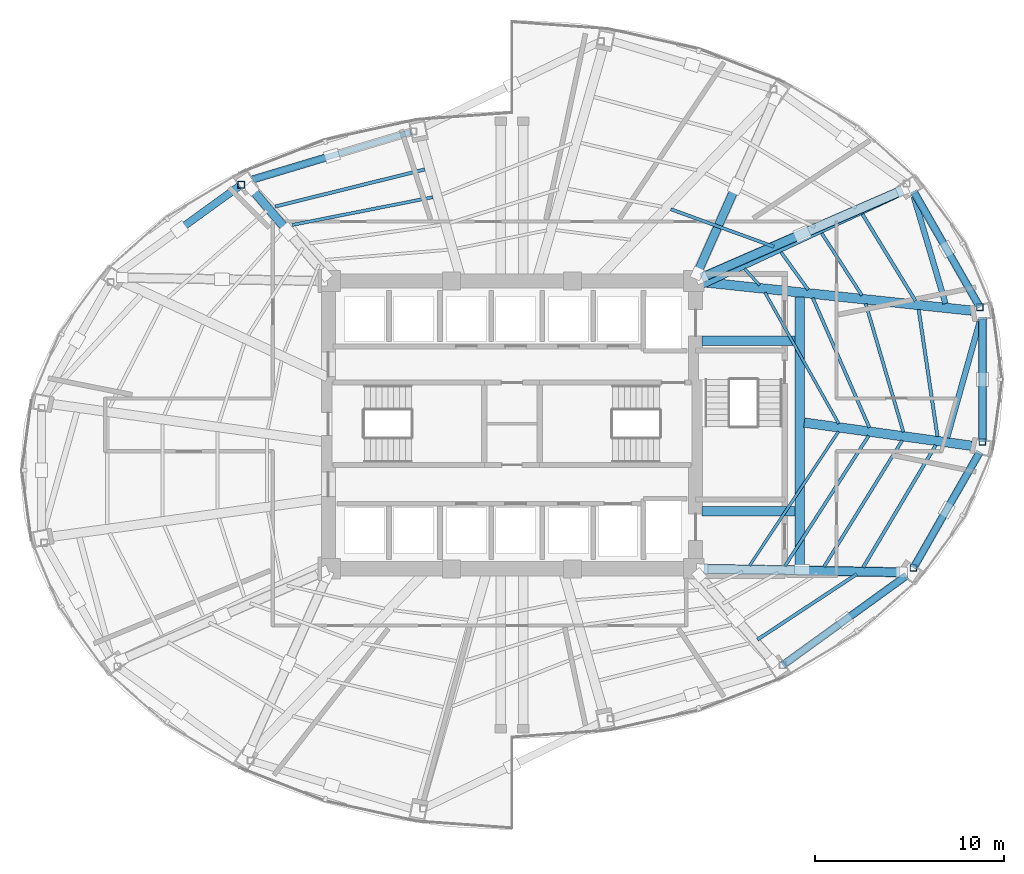
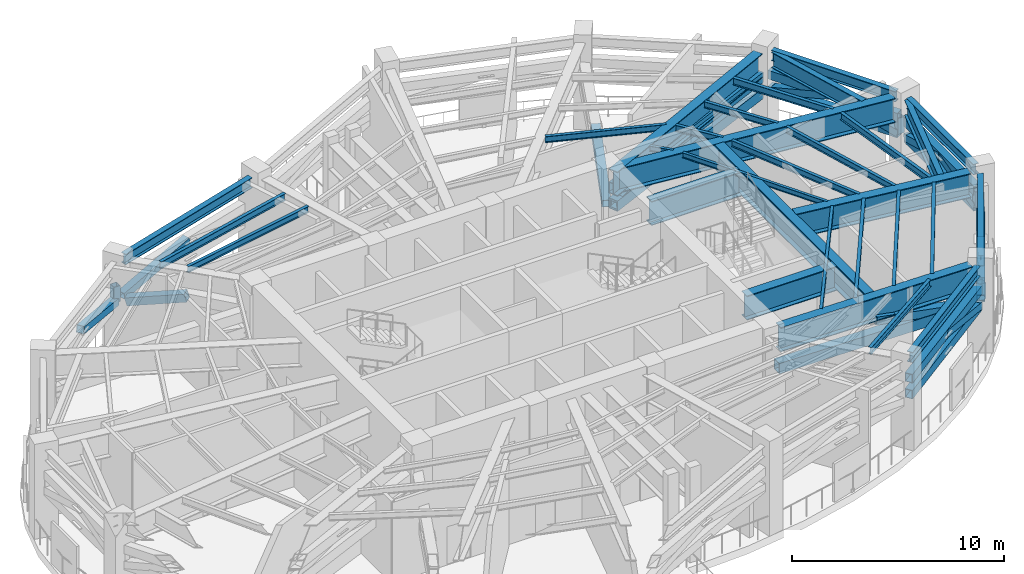
# One storey, part 4 of 12: 30 beams, 28 members.
"""IFC4 building model written with IfcOpenShell, lengths in metres."""

from ifc_helpers import new_model, si_unit, direction, frame, origin, origin_2d, place, context, subcontext, project, spatial, hollow_rectangle, i_section, extrude, material, material_profile, profile_set, type_object, element, save


model = new_model("IFC4")

# Units and contexts
model_context = context("Model", 3, precision=1e-05, world=origin(), true_north=direction((0.0, 1.0)))
body_context = subcontext(model_context, "Body", "Model", "MODEL_VIEW")
ifc_project = project(units=[si_unit("LENGTHUNIT", "METRE"), si_unit("AREAUNIT", "SQUARE_METRE"), si_unit("VOLUMEUNIT", "CUBIC_METRE"), si_unit("PLANEANGLEUNIT", "RADIAN"), si_unit("MASSUNIT", "GRAM", prefix="KILO")], contexts=[model_context])

# Site, building, storey
site_placement = place(None, origin())
site = spatial("IfcSite", under=ifc_project, at=site_placement, CompositionType="ELEMENT")
building_placement = place(site_placement, origin())
building = spatial("IfcBuilding", under=site, at=building_placement, Name="Lazwardi Medical Tower", CompositionType="ELEMENT")
storey_placement = place(building_placement, frame((0.0, 0.0, 132.81591796875)))
storey = spatial("IfcBuildingStorey", under=building, at=storey_placement, Name="L34", CompositionType="ELEMENT", Elevation=132.81591796875)

# Beams
ifc_material_1 = material(Name="Steel S460", Category="steel")
ifc_material_profile_1 = material_profile(ifc_material_1, i_section(OverallWidth=0.300048828125, OverallDepth=0.89990234375, WebThickness=0.0185546875, FlangeThickness=0.034912109375, at=origin_2d()), Name="HEB 900")
ifc_profile_set_1 = profile_set([ifc_material_profile_1], Name="Steel S460")
beam_type_1 = type_object("IfcBeamType", Name="BM-HB-01", PredefinedType="BEAM", material=ifc_profile_set_1)
beam_1_placement = place(storey_placement, frame((58.9921875, 27.32421875, 4.572021484375), z_axis=(0.270587562077, 0.962695367834, 0.0), x_axis=(-0.962695367834, 0.270587562077, 0.0)))
element("IfcBeam", 1, at=beam_1_placement, inside=storey, type_object=beam_type_1, Name="Transfer girder tie HB-01 M04 L34", PredefinedType="BEAM", context=body_context, shape_type="SweptSolid", body=[
    extrude(i_section(OverallWidth=0.300048828125, OverallDepth=0.89990234375, WebThickness=0.0185546875, FlangeThickness=0.034912109375, at=origin_2d()), origin(), (0.0, 0.0, 1.0), 6.353759765625),
])
beam_2_placement = place(storey_placement, frame((58.906005859375, 34.4150390625, 4.572021484375), z_axis=(-0.283668743599, 0.958922334658, 0.0), x_axis=(-0.958922334658, -0.283668743599, 0.0)))
element("IfcBeam", 2, at=beam_2_placement, inside=storey, type_object=beam_type_1, Name="Transfer girder tie HB-01 M05 L34", PredefinedType="BEAM", context=body_context, shape_type="SweptSolid", body=[
    extrude(i_section(OverallWidth=0.300048828125, OverallDepth=0.89990234375, WebThickness=0.0185546875, FlangeThickness=0.034912109375, at=origin_2d()), origin(), (0.0, 0.0, 1.0), 5.88427734375),
])
ifc_material_2 = material(Name="Steel S355", Category="steel")
ifc_material_profile_2 = material_profile(ifc_material_2, i_section(OverallWidth=0.300048828125, OverallDepth=0.60009765625, WebThickness=0.015380859375, FlangeThickness=0.030029296875, at=origin_2d()), Name="HEB 600")
ifc_profile_set_2 = profile_set([ifc_material_profile_2], Name="Steel S355")
beam_type_2 = type_object("IfcBeamType", Name="BM-RB-Z2", PredefinedType="BEAM", material=ifc_profile_set_2)
beam_3_placement = place(storey_placement, frame((50.415771484375, 15.3828125, 4.72216796875), z_axis=(0.810041907649, 0.586371987609, 0.0), x_axis=(-0.586371987609, 0.810041907649, 0.0)))
element("IfcBeam", 3, at=beam_3_placement, inside=storey, type_object=beam_type_2, Name="Ring beam RB-03 B02 L34", PredefinedType="BEAM", context=body_context, shape_type="SweptSolid", body=[
    extrude(i_section(OverallWidth=0.300048828125, OverallDepth=0.60009765625, WebThickness=0.015380859375, FlangeThickness=0.030029296875, at=origin_2d()), origin(), (0.0, 0.0, 1.0), 7.814208984375),
])
beam_4_placement = place(storey_placement, frame((57.281494140625, 20.561279296875, 4.72216796875), z_axis=(0.496653025517, 0.867949176072, 0.0), x_axis=(-0.867949176072, 0.496653025517, 0.0)))
element("IfcBeam", 4, at=beam_4_placement, inside=storey, type_object=beam_type_2, Name="Ring beam RB-03 B03 L34", PredefinedType="BEAM", context=body_context, shape_type="SweptSolid", body=[
    extrude(i_section(OverallWidth=0.300048828125, OverallDepth=0.60009765625, WebThickness=0.015380859375, FlangeThickness=0.030029296875, at=origin_2d()), origin(), (0.0, 0.0, 1.0), 6.80078125),
])
beam_5_placement = place(storey_placement, frame((60.86279296875, 27.22998046875, 4.72216796875), z_axis=(0.0, 1.0, 0.0), x_axis=(-1.0, 0.0, 0.0)))
element("IfcBeam", 5, at=beam_5_placement, inside=storey, type_object=beam_type_2, Name="Ring beam RB-03 B04 L34", PredefinedType="BEAM", context=body_context, shape_type="SweptSolid", body=[
    extrude(i_section(OverallWidth=0.300048828125, OverallDepth=0.60009765625, WebThickness=0.015380859375, FlangeThickness=0.030029296875, at=origin_2d()), origin(), (0.0, 0.0, 1.0), 6.33984375),
])
beam_6_placement = place(storey_placement, frame((60.6591796875, 34.335693359375, 4.72216796875), z_axis=(-0.496637551254, 0.867958030486, 0.0), x_axis=(-0.867958030486, -0.496637551254, 0.0)))
element("IfcBeam", 6, at=beam_6_placement, inside=storey, type_object=beam_type_2, Name="Ring beam RB-03 B05 L34", PredefinedType="BEAM", context=body_context, shape_type="SweptSolid", body=[
    extrude(i_section(OverallWidth=0.300048828125, OverallDepth=0.60009765625, WebThickness=0.015380859375, FlangeThickness=0.030029296875, at=origin_2d()), origin(), (0.0, 0.0, 1.0), 6.801025390625),
])
beam_7_placement = place(storey_placement, frame((30.661865234375, 43.4794921875, 4.72216796875), z_axis=(-0.957879438442, -0.287170648587, 0.0), x_axis=(0.287170648587, -0.957879438442, 0.0)))
element("IfcBeam", 7, at=beam_7_placement, inside=storey, type_object=beam_type_2, Name="Ring beam RB-03 B09 L34", PredefinedType="BEAM", context=body_context, shape_type="SweptSolid", body=[
    extrude(i_section(OverallWidth=0.300048828125, OverallDepth=0.60009765625, WebThickness=0.015380859375, FlangeThickness=0.030029296875, at=origin_2d()), origin(), (0.0, 0.0, 1.0), 8.719970703125),
])
ifc_material_profile_3 = material_profile(ifc_material_2, i_section(OverallWidth=0.179931640625, OverallDepth=0.39990234375, WebThickness=0.008544921875, FlangeThickness=0.013427734375, at=origin_2d()), Name="IPE 400")
ifc_profile_set_3 = profile_set([ifc_material_profile_3], Name="Steel S355")
beam_type_3 = type_object("IfcBeamType", Name="BM-SJ-01", PredefinedType="JOIST", material=ifc_profile_set_3)
beam_8_placement = place(storey_placement, frame((48.967529296875, 16.653564453125, 4.822021484375), z_axis=(0.83498778649, 0.550268476666, 0.0), x_axis=(-0.550268476666, 0.83498778649, 0.0)))
element("IfcBeam", 8, at=beam_8_placement, inside=storey, type_object=beam_type_3, Name="Secondary joist SJ-01 R1 B02 L34", PredefinedType="JOIST", context=body_context, shape_type="SweptSolid", body=[
    extrude(i_section(OverallWidth=0.179931640625, OverallDepth=0.39990234375, WebThickness=0.008544921875, FlangeThickness=0.013427734375, at=origin_2d()), origin(), (0.0, 0.0, 1.0), 6.291259765625),
])
beam_9_placement = place(storey_placement, frame((54.55029296875, 20.4609375, 4.822021484375), z_axis=(0.510632409875, 0.859799128858, 0.0), x_axis=(-0.859799128858, 0.510632409875, 0.0)))
element("IfcBeam", 9, at=beam_9_placement, inside=storey, type_object=beam_type_3, Name="Secondary joist SJ-01 R1 B03 L34", PredefinedType="JOIST", context=body_context, shape_type="SweptSolid", body=[
    extrude(i_section(OverallWidth=0.179931640625, OverallDepth=0.39990234375, WebThickness=0.008544921875, FlangeThickness=0.013427734375, at=origin_2d()), origin(), (0.0, 0.0, 1.0), 7.5283203125),
])
beam_10_placement = place(storey_placement, frame((58.48388671875, 27.386962890625, 4.822021484375), z_axis=(-0.146300891075, 0.989240137313, 0.0), x_axis=(-0.989240137313, -0.146300891075, 0.0)))
element("IfcBeam", 10, at=beam_10_placement, inside=storey, type_object=beam_type_3, Name="Secondary joist SJ-01 R1 B04 L34", PredefinedType="JOIST", context=body_context, shape_type="SweptSolid", body=[
    extrude(i_section(OverallWidth=0.179931640625, OverallDepth=0.39990234375, WebThickness=0.008544921875, FlangeThickness=0.013427734375, at=origin_2d()), origin(), (0.0, 0.0, 1.0), 6.78515625),
])
beam_11_placement = place(storey_placement, frame((57.327392578125, 34.550537109375, 4.822021484375), z_axis=(-0.522193623846, 0.852826957369, 0.0), x_axis=(-0.852826957369, -0.522193623846, 0.0)))
element("IfcBeam", 11, at=beam_11_placement, inside=storey, type_object=beam_type_3, Name="Secondary joist SJ-01 R1 B05 L34", PredefinedType="JOIST", context=body_context, shape_type="SweptSolid", body=[
    extrude(i_section(OverallWidth=0.179931640625, OverallDepth=0.39990234375, WebThickness=0.008544921875, FlangeThickness=0.013427734375, at=origin_2d()), origin(), (0.0, 0.0, 1.0), 5.376953125),
])
beam_12_placement = place(storey_placement, frame((31.398193359375, 41.5029296875, 4.822021484375), z_axis=(-0.970657538823, -0.240466093922, 0.0), x_axis=(0.240466093922, -0.970657538823, 0.0)))
element("IfcBeam", 12, at=beam_12_placement, inside=storey, type_object=beam_type_3, Name="Secondary joist SJ-01 R1 B09 L34", PredefinedType="JOIST", context=body_context, shape_type="SweptSolid", body=[
    extrude(i_section(OverallWidth=0.179931640625, OverallDepth=0.39990234375, WebThickness=0.008544921875, FlangeThickness=0.013427734375, at=origin_2d()), origin(), (0.0, 0.0, 1.0), 8.162841796875),
])
ifc_material_profile_4 = material_profile(ifc_material_2, i_section(OverallWidth=0.169921875, OverallDepth=0.360107421875, WebThickness=0.008056640625, FlangeThickness=0.0126953125, at=origin_2d()), Name="IPE 360")
ifc_profile_set_4 = profile_set([ifc_material_profile_4], Name="Steel S355")
beam_type_4 = type_object("IfcBeamType", Name="BM-SJ-02", PredefinedType="JOIST", material=ifc_profile_set_4)
beam_13_placement = place(storey_placement, frame((52.481689453125, 20.49365234375, 4.842041015625), z_axis=(0.526400562631, 0.850236700961, 0.0), x_axis=(-0.850236700961, 0.526400562631, 0.0)))
element("IfcBeam", 13, at=beam_13_placement, inside=storey, type_object=beam_type_4, Name="Secondary joist SJ-02 R2 B03 L34", PredefinedType="JOIST", context=body_context, shape_type="SweptSolid", body=[
    extrude(i_section(OverallWidth=0.169921875, OverallDepth=0.360107421875, WebThickness=0.008056640625, FlangeThickness=0.0126953125, at=origin_2d()), origin(), (0.0, 0.0, 1.0), 7.865478515625),
])
beam_14_placement = place(storey_placement, frame((56.68212890625, 27.62451171875, 4.842041015625), z_axis=(-0.28137518337, 0.95959783565, 0.0), x_axis=(-0.95959783565, -0.28137518337, 0.0)))
element("IfcBeam", 14, at=beam_14_placement, inside=storey, type_object=beam_type_4, Name="Secondary joist SJ-02 R2 B04 L34", PredefinedType="JOIST", context=body_context, shape_type="SweptSolid", body=[
    extrude(i_section(OverallWidth=0.169921875, OverallDepth=0.360107421875, WebThickness=0.008056640625, FlangeThickness=0.0126953125, at=origin_2d()), origin(), (0.0, 0.0, 1.0), 7.068115234375),
])
beam_15_placement = place(storey_placement, frame((54.4912109375, 34.84765625, 4.842041015625), z_axis=(-0.543279720058, 0.839551752886, 0.0), x_axis=(-0.839551752886, -0.543279720058, 0.0)))
element("IfcBeam", 15, at=beam_15_placement, inside=storey, type_object=beam_type_4, Name="Secondary joist SJ-02 R2 B05 L34", PredefinedType="JOIST", context=body_context, shape_type="SweptSolid", body=[
    extrude(i_section(OverallWidth=0.169921875, OverallDepth=0.360107421875, WebThickness=0.008056640625, FlangeThickness=0.0126953125, at=origin_2d()), origin(), (0.0, 0.0, 1.0), 3.9150390625),
])
beam_16_placement = place(storey_placement, frame((31.818115234375, 40.036376953125, 4.842041015625), z_axis=(-0.981054420919, -0.193732349379, 0.0), x_axis=(0.193732349379, -0.981054420919, 0.0)))
element("IfcBeam", 16, at=beam_16_placement, inside=storey, type_object=beam_type_4, Name="Secondary joist SJ-02 R2 B09 L34", PredefinedType="JOIST", context=body_context, shape_type="SweptSolid", body=[
    extrude(i_section(OverallWidth=0.169921875, OverallDepth=0.360107421875, WebThickness=0.008056640625, FlangeThickness=0.0126953125, at=origin_2d()), origin(), (0.0, 0.0, 1.0), 7.56494140625),
])
beam_17_placement = place(storey_placement, frame((50.41259765625, 20.526611328125, 4.842041015625), z_axis=(0.540801202937, 0.841150437735, 0.0), x_axis=(-0.841150437735, 0.540801202937, 0.0)))
element("IfcBeam", 17, at=beam_17_placement, inside=storey, type_object=beam_type_4, Name="Secondary joist SJ-02 R3 B03 L34", PredefinedType="JOIST", context=body_context, shape_type="SweptSolid", body=[
    extrude(i_section(OverallWidth=0.169921875, OverallDepth=0.360107421875, WebThickness=0.008056640625, FlangeThickness=0.0126953125, at=origin_2d()), origin(), (0.0, 0.0, 1.0), 8.205078125),
])
beam_18_placement = place(storey_placement, frame((54.884521484375, 27.85888671875, 4.842041015625), z_axis=(-0.399927016472, 0.916546988155, 0.0), x_axis=(-0.916546988155, -0.399927016472, 0.0)))
element("IfcBeam", 18, at=beam_18_placement, inside=storey, type_object=beam_type_4, Name="Secondary joist SJ-02 R3 B04 L34", PredefinedType="JOIST", context=body_context, shape_type="SweptSolid", body=[
    extrude(i_section(OverallWidth=0.169921875, OverallDepth=0.360107421875, WebThickness=0.008056640625, FlangeThickness=0.0126953125, at=origin_2d()), origin(), (0.0, 0.0, 1.0), 7.483642578125),
])
beam_19_placement = place(storey_placement, frame((51.650390625, 35.141357421875, 4.842041015625), z_axis=(-0.584315190051, 0.811526807121, 0.0), x_axis=(-0.811526807121, -0.584315190051, 0.0)))
element("IfcBeam", 19, at=beam_19_placement, inside=storey, type_object=beam_type_4, Name="Secondary joist SJ-02 R3 B05 L34", PredefinedType="JOIST", context=body_context, shape_type="SweptSolid", body=[
    extrude(i_section(OverallWidth=0.169921875, OverallDepth=0.360107421875, WebThickness=0.008056640625, FlangeThickness=0.0126953125, at=origin_2d()), origin(), (0.0, 0.0, 1.0), 2.45849609375),
])
beam_20_placement = place(storey_placement, frame((49.840576171875, 37.4189453125, 4.842041015625), z_axis=(-0.939727031181, 0.341925586742, 0.0), x_axis=(-0.341925586742, -0.939727031181, 0.0)))
element("IfcBeam", 20, at=beam_20_placement, inside=storey, type_object=beam_type_4, Name="Secondary joist SJ-02 R3 B06 L34", PredefinedType="JOIST", context=body_context, shape_type="SweptSolid", body=[
    extrude(i_section(OverallWidth=0.169921875, OverallDepth=0.360107421875, WebThickness=0.008056640625, FlangeThickness=0.0126953125, at=origin_2d()), origin(), (0.0, 0.0, 1.0), 5.79931640625),
])
ifc_material_profile_5 = material_profile(ifc_material_2, i_section(OverallWidth=0.14990234375, OverallDepth=0.300048828125, WebThickness=0.007080078125, FlangeThickness=0.0107421875, at=origin_2d()), Name="IPE 300")
ifc_profile_set_5 = profile_set([ifc_material_profile_5], Name="Steel S355")
beam_type_5 = type_object("IfcBeamType", Name="BM-SJ-03", PredefinedType="JOIST", material=ifc_profile_set_5)
beam_21_placement = place(storey_placement, frame((48.55029296875, 20.556396484375, 4.8720703125), z_axis=(0.552706398406, 0.833376047869, 0.0), x_axis=(-0.833376047869, 0.552706398406, 0.0)))
element("IfcBeam", 21, at=beam_21_placement, inside=storey, type_object=beam_type_5, Name="Secondary joist SJ-03 R4 B03 L34", PredefinedType="JOIST", context=body_context, shape_type="SweptSolid", body=[
    extrude(i_section(OverallWidth=0.14990234375, OverallDepth=0.300048828125, WebThickness=0.007080078125, FlangeThickness=0.0107421875, at=origin_2d()), origin(), (0.0, 0.0, 1.0), 8.512451171875),
])
beam_22_placement = place(storey_placement, frame((53.270263671875, 28.068115234375, 4.8720703125), z_axis=(-0.490752190222, 0.871299195335, 0.0), x_axis=(-0.871299195335, -0.490752190222, 0.0)))
element("IfcBeam", 22, at=beam_22_placement, inside=storey, type_object=beam_type_5, Name="Secondary joist SJ-03 R4 B04 L34", PredefinedType="JOIST", context=body_context, shape_type="SweptSolid", body=[
    extrude(i_section(OverallWidth=0.14990234375, OverallDepth=0.300048828125, WebThickness=0.007080078125, FlangeThickness=0.0107421875, at=origin_2d()), origin(), (0.0, 0.0, 1.0), 7.955322265625),
])
beam_23_placement = place(storey_placement, frame((49.080078125, 35.393310546875, 4.8720703125), z_axis=(-0.676702106476, 0.736256924647, 0.0), x_axis=(-0.736256924647, -0.676702106476, 0.0)))
element("IfcBeam", 23, at=beam_23_placement, inside=storey, type_object=beam_type_5, Name="Secondary joist SJ-03 R4 B05 L34", PredefinedType="JOIST", context=body_context, shape_type="SweptSolid", body=[
    extrude(i_section(OverallWidth=0.14990234375, OverallDepth=0.300048828125, WebThickness=0.007080078125, FlangeThickness=0.0107421875, at=origin_2d()), origin(), (0.0, 0.0, 1.0), 1.164306640625),
])
ifc_material_profile_6 = material_profile(ifc_material_1, i_section(OverallWidth=0.5, OverallDepth=1.39990234375, WebThickness=0.028076171875, FlangeThickness=0.044921875, at=origin_2d()), Name="PG 1400x500")
ifc_profile_set_6 = profile_set([ifc_material_profile_6], Name="Steel S460")
beam_type_6 = type_object("IfcBeamType", Name="BM-TG-01", PredefinedType="BEAM", material=ifc_profile_set_6)
beam_24_placement = place(storey_placement, frame((56.497802734375, 20.215087890625, 4.322021484375), z_axis=(-0.99985616395, 0.016960289263, 0.0), x_axis=(-0.016960289263, -0.99985616395, 0.0)))
element("IfcBeam", 24, at=beam_24_placement, inside=storey, type_object=beam_type_6, Name="Transfer girder TG-01 M03 L34", PredefinedType="BEAM", context=body_context, shape_type="SweptSolid", body=[
    extrude(i_section(OverallWidth=0.5, OverallDepth=1.39990234375, WebThickness=0.028076171875, FlangeThickness=0.044921875, at=origin_2d()), origin(), (0.0, 0.0, 1.0), 10.3642578125),
])
beam_25_placement = place(storey_placement, frame((60.2861328125, 34.041015625, 4.322021484375), z_axis=(-0.994413340753, 0.10555618282, 0.0), x_axis=(-0.10555618282, -0.994413340753, 0.0)))
element("IfcBeam", 25, at=beam_25_placement, inside=storey, type_object=beam_type_6, Name="Transfer girder TG-01 M05 L34", PredefinedType="BEAM", context=body_context, shape_type="SweptSolid", body=[
    extrude(i_section(OverallWidth=0.5, OverallDepth=1.39990234375, WebThickness=0.028076171875, FlangeThickness=0.044921875, at=origin_2d()), origin(), (0.0, 0.0, 1.0), 14.233642578125),
])
beam_26_placement = place(storey_placement, frame((51.199951171875, 20.550048828125, 4.322021484375), z_axis=(0.0, 1.0, 0.0), x_axis=(-1.0, 0.0, 0.0)))
element("IfcBeam", 26, at=beam_26_placement, inside=storey, type_object=beam_type_6, Name="Transfer girder TG-01 ST3E L34", PredefinedType="BEAM", context=body_context, shape_type="SweptSolid", body=[
    extrude(i_section(OverallWidth=0.5, OverallDepth=1.39990234375, WebThickness=0.028076171875, FlangeThickness=0.044921875, at=origin_2d()), origin(), (0.0, 0.0, 1.0), 14.21044921875),
])
for number, where, z_axis, x_axis, name in (
    (27, (46.044921875, 23.449951171875, 4.322021484375), (1.0, 0.0, 0.0), (0.0, 1.0, 0.0), "Transfer girder TG-01 ST3S L34"),
    (28, (46.044921875, 32.449951171875, 4.322021484375), (1.0, 0.0, 0.0), (0.0, 1.0, 0.0), "Transfer girder TG-01 ST3N L34"),
):
    element("IfcBeam", number, at=place(storey_placement, frame(where, z_axis=z_axis, x_axis=x_axis)), inside=storey, type_object=beam_type_6, Name=name, PredefinedType="BEAM", context=body_context, shape_type="SweptSolid", body=[
        extrude(i_section(OverallWidth=0.5, OverallDepth=1.39990234375, WebThickness=0.028076171875, FlangeThickness=0.044921875, at=origin_2d()), origin(), (0.0, 0.0, 1.0), 4.91015625),
    ])
beam_27_placement = place(storey_placement, frame((60.288330078125, 26.899658203125, 4.322021484375), z_axis=(-0.990551181343, 0.137143563979, 0.0), x_axis=(-0.137143563979, -0.990551181343, 0.0)))
element("IfcBeam", 29, at=beam_27_placement, inside=storey, type_object=beam_type_6, Name="Transfer girder TG-01 M04 L34", PredefinedType="BEAM", context=body_context, shape_type="SweptSolid", body=[
    extrude(i_section(OverallWidth=0.5, OverallDepth=1.39990234375, WebThickness=0.028076171875, FlangeThickness=0.044921875, at=origin_2d()), origin(), (0.0, 0.0, 1.0), 8.927734375),
])
beam_28_placement = place(storey_placement, frame((56.552001953125, 40.35009765625, 4.322021484375), z_axis=(-0.906705985416, -0.421763270106, 0.0), x_axis=(0.421763270106, -0.906705985416, 0.0)))
element("IfcBeam", 30, at=beam_28_placement, inside=storey, type_object=beam_type_6, Name="Transfer girder TG-01 M06 L34", PredefinedType="BEAM", context=body_context, shape_type="SweptSolid", body=[
    extrude(i_section(OverallWidth=0.5, OverallDepth=1.39990234375, WebThickness=0.028076171875, FlangeThickness=0.044921875, at=origin_2d()), origin(), (0.0, 0.0, 1.0), 11.91357421875),
])

# Members
ifc_material_profile_7 = material_profile(ifc_material_1, hollow_rectangle(XDim=0.39990234375, YDim=0.5, WallThickness=0.02490234375, at=origin_2d()), Name="RHS 500x400x25")
ifc_profile_set_7 = profile_set([ifc_material_profile_7], Name="Steel S460")
member_type_1 = type_object("IfcMemberType", Name="MEM-BC-01", PredefinedType="CHORD", material=ifc_profile_set_7)
for number, where, z_axis, x_axis, name in (
    (31, (50.310546875, 15.306640625, 2.68017578125), (0.81005206471, 0.586357955911, 0.0), (-0.586357955911, 0.81005206471, 0.0), "Belt truss bottom chord BC-01 B02 L34"),
    (32, (50.310546875, 15.306640625, 3.60009765625), (0.81005206471, 0.586357955911, 0.0), (-0.586357955911, 0.81005206471, 0.0), "Belt truss top chord BC-01 B02 L34"),
):
    element("IfcMember", number, at=place(storey_placement, frame(where, z_axis=z_axis, x_axis=x_axis)), inside=storey, type_object=member_type_1, Name=name, PredefinedType="CHORD", context=body_context, shape_type="SweptSolid", body=[
        extrude(hollow_rectangle(XDim=0.39990234375, YDim=0.5, WallThickness=0.02490234375, at=origin_2d()), origin(), (0.0, 0.0, 1.0), 8.07421875),
    ])
for number, where, z_axis, x_axis, name in (
    (33, (57.216796875, 20.4482421875, 2.68017578125), (0.496656397323, 0.867947246668, 0.0), (-0.867947246668, 0.496656397323, 0.0), "Belt truss bottom chord BC-01 B03 L34"),
    (34, (57.216796875, 20.4482421875, 3.60009765625), (0.496656397323, 0.867947246668, 0.0), (-0.867947246668, 0.496656397323, 0.0), "Belt truss top chord BC-01 B03 L34"),
):
    element("IfcMember", number, at=place(storey_placement, frame(where, z_axis=z_axis, x_axis=x_axis)), inside=storey, type_object=member_type_1, Name=name, PredefinedType="CHORD", context=body_context, shape_type="SweptSolid", body=[
        extrude(hollow_rectangle(XDim=0.39990234375, YDim=0.5, WallThickness=0.02490234375, at=origin_2d()), origin(), (0.0, 0.0, 1.0), 7.061279296875),
    ])
for number, where, z_axis, x_axis, name in (
    (35, (60.86279296875, 27.10009765625, 2.68017578125), (0.0, 1.0, 0.0), (-1.0, 0.0, 0.0), "Belt truss bottom chord BC-01 B04 L34"),
    (36, (60.86279296875, 27.10009765625, 3.60009765625), (0.0, 1.0, 0.0), (-1.0, 0.0, 0.0), "Belt truss top chord BC-01 B04 L34"),
):
    element("IfcMember", number, at=place(storey_placement, frame(where, z_axis=z_axis, x_axis=x_axis)), inside=storey, type_object=member_type_1, Name=name, PredefinedType="CHORD", context=body_context, shape_type="SweptSolid", body=[
        extrude(hollow_rectangle(XDim=0.39990234375, YDim=0.5, WallThickness=0.02490234375, at=origin_2d()), origin(), (0.0, 0.0, 1.0), 6.599853515625),
    ])
for number, where, z_axis, x_axis, name in (
    (37, (60.723876953125, 34.222900390625, 2.68017578125), (-0.496656397323, 0.867947246668, 0.0), (-0.867947246668, -0.496656397323, 0.0), "Belt truss bottom chord BC-01 B05 L34"),
    (38, (60.723876953125, 34.222900390625, 3.60009765625), (-0.496656397323, 0.867947246668, 0.0), (-0.867947246668, -0.496656397323, 0.0), "Belt truss top chord BC-01 B05 L34"),
):
    element("IfcMember", number, at=place(storey_placement, frame(where, z_axis=z_axis, x_axis=x_axis)), inside=storey, type_object=member_type_1, Name=name, PredefinedType="CHORD", context=body_context, shape_type="SweptSolid", body=[
        extrude(hollow_rectangle(XDim=0.39990234375, YDim=0.5, WallThickness=0.02490234375, at=origin_2d()), origin(), (0.0, 0.0, 1.0), 7.061279296875),
    ])
ifc_material_profile_8 = material_profile(ifc_material_1, hollow_rectangle(XDim=0.39990234375, YDim=0.39990234375, WallThickness=0.02001953125, at=origin_2d()), Name="RHS 400x400x20")
ifc_profile_set_8 = profile_set([ifc_material_profile_8], Name="Steel S460")
member_type_2 = type_object("IfcMemberType", Name="MEM-BD-01", PredefinedType="BRACE", material=ifc_profile_set_8)
member_1_placement = place(storey_placement, frame((56.85107421875, 20.041015625, 2.68017578125), z_axis=(-0.789806852762, -0.571703415034, 0.222171871684), x_axis=(0.586357955911, -0.81005206471, 0.0)))
element("IfcMember", 39, at=member_1_placement, inside=storey, type_object=member_type_2, Name="Belt truss diagonal BD-01 B02B L34", PredefinedType="BRACE", context=body_context, shape_type="SweptSolid", body=[
    extrude(hollow_rectangle(XDim=0.39990234375, YDim=0.39990234375, WallThickness=0.02001953125, at=origin_2d()), origin(), (0.0, 0.0, 1.0), 4.140625),
])
member_2_placement = place(storey_placement, frame((57.216796875, 20.4482421875, 2.68017578125), z_axis=(0.480585055408, 0.839919745959, 0.252136520297), x_axis=(-0.867962150428, 0.49663035089, 0.0)))
element("IfcMember", 40, at=member_2_placement, inside=storey, type_object=member_type_2, Name="Belt truss diagonal BD-01 B03A L34", PredefinedType="BRACE", context=body_context, shape_type="SweptSolid", body=[
    extrude(hollow_rectangle(XDim=0.39990234375, YDim=0.39990234375, WallThickness=0.02001953125, at=origin_2d()), origin(), (0.0, 0.0, 1.0), 3.6484375),
])
member_3_placement = place(storey_placement, frame((60.723876953125, 26.5771484375, 2.68017578125), z_axis=(-0.480636513267, -0.839892734863, 0.252128411804), x_axis=(0.867932342639, -0.496682442413, 0.0)))
element("IfcMember", 41, at=member_3_placement, inside=storey, type_object=member_type_2, Name="Belt truss diagonal BD-01 B03B L34", PredefinedType="BRACE", context=body_context, shape_type="SweptSolid", body=[
    extrude(hollow_rectangle(XDim=0.39990234375, YDim=0.39990234375, WallThickness=0.02001953125, at=origin_2d()), origin(), (0.0, 0.0, 1.0), 3.648681640625),
])
member_4_placement = place(storey_placement, frame((60.86279296875, 27.10009765625, 2.68017578125), z_axis=(0.0, 0.963268357906, 0.268540631296), x_axis=(-1.0, 0.0, 0.0)))
element("IfcMember", 42, at=member_4_placement, inside=storey, type_object=member_type_2, Name="Belt truss diagonal BD-01 B04A L34", PredefinedType="BRACE", context=body_context, shape_type="SweptSolid", body=[
    extrude(hollow_rectangle(XDim=0.39990234375, YDim=0.39990234375, WallThickness=0.02001953125, at=origin_2d()), origin(), (0.0, 0.0, 1.0), 3.425537109375),
])
member_5_placement = place(storey_placement, frame((60.86279296875, 33.699951171875, 2.68017578125), z_axis=(0.0, -0.963273496856, 0.268522196949), x_axis=(1.0, 0.0, 0.0)))
element("IfcMember", 43, at=member_5_placement, inside=storey, type_object=member_type_2, Name="Belt truss diagonal BD-01 B04B L34", PredefinedType="BRACE", context=body_context, shape_type="SweptSolid", body=[
    extrude(hollow_rectangle(XDim=0.39990234375, YDim=0.39990234375, WallThickness=0.02001953125, at=origin_2d()), origin(), (0.0, 0.0, 1.0), 3.42578125),
])
member_6_placement = place(storey_placement, frame((60.723876953125, 34.222900390625, 2.68017578125), z_axis=(-0.480636513267, 0.839892734863, 0.252128411804), x_axis=(-0.867932342639, -0.496682442413, 0.0)))
element("IfcMember", 44, at=member_6_placement, inside=storey, type_object=member_type_2, Name="Belt truss diagonal BD-01 B05A L34", PredefinedType="BRACE", context=body_context, shape_type="SweptSolid", body=[
    extrude(hollow_rectangle(XDim=0.39990234375, YDim=0.39990234375, WallThickness=0.02001953125, at=origin_2d()), origin(), (0.0, 0.0, 1.0), 3.648681640625),
])
member_7_placement = place(storey_placement, frame((57.216796875, 40.351806640625, 2.68017578125), z_axis=(0.480585055408, -0.839919745959, 0.252136520297), x_axis=(0.867962150428, 0.49663035089, 0.0)))
element("IfcMember", 45, at=member_7_placement, inside=storey, type_object=member_type_2, Name="Belt truss diagonal BD-01 B05B L34", PredefinedType="BRACE", context=body_context, shape_type="SweptSolid", body=[
    extrude(hollow_rectangle(XDim=0.39990234375, YDim=0.39990234375, WallThickness=0.02001953125, at=origin_2d()), origin(), (0.0, 0.0, 1.0), 3.6484375),
])
member_8_placement = place(storey_placement, frame((22.1845703125, 40.93798828125, 2.68017578125), z_axis=(0.938375224568, 0.281363415995, 0.20071513659), x_axis=(-0.287208203877, 0.957868178627, 0.0)))
element("IfcMember", 46, at=member_8_placement, inside=storey, type_object=member_type_2, Name="Belt truss diagonal BD-01 B09B L34", PredefinedType="BRACE", context=body_context, shape_type="SweptSolid", body=[
    extrude(hollow_rectangle(XDim=0.39990234375, YDim=0.39990234375, WallThickness=0.02001953125, at=origin_2d()), origin(), (0.0, 0.0, 1.0), 4.583251953125),
])
member_9_placement = place(storey_placement, frame((21.689453125, 40.693359375, 2.68017578125), z_axis=(-0.789806852762, -0.571703415034, 0.222171871684), x_axis=(0.586357955911, -0.81005206471, 0.0)))
element("IfcMember", 47, at=member_9_placement, inside=storey, type_object=member_type_2, Name="Belt truss diagonal BD-01 B10A L34", PredefinedType="BRACE", context=body_context, shape_type="SweptSolid", body=[
    extrude(hollow_rectangle(XDim=0.39990234375, YDim=0.39990234375, WallThickness=0.02001953125, at=origin_2d()), origin(), (0.0, 0.0, 1.0), 4.140625),
])
ifc_material_profile_9 = material_profile(ifc_material_2, hollow_rectangle(XDim=0.35009765625, YDim=0.35009765625, WallThickness=0.01611328125, at=origin_2d()), Name="RHS 350x350x16")
ifc_profile_set_9 = profile_set([ifc_material_profile_9], Name="Steel S355")
member_type_3 = type_object("IfcMemberType", Name="MEM-BV-01", PredefinedType="POST", material=ifc_profile_set_9)
for number, where, z_axis, x_axis, name in (
    (48, (57.216796875, 20.4482421875, 2.68017578125), (0.0, 0.0, 1.0), (1.0, 0.0, 0.0), "Belt truss post BV-01 B03 L34"),
    (49, (60.86279296875, 27.10009765625, 2.68017578125), (0.0, 0.0, 1.0), (1.0, 0.0, 0.0), "Belt truss post BV-01 B04 L34"),
    (50, (60.723876953125, 34.222900390625, 2.68017578125), (0.0, 0.0, 1.0), (1.0, 0.0, 0.0), "Belt truss post BV-01 B05 L34"),
    (51, (21.689453125, 40.693359375, 2.68017578125), (0.0, 0.0, 1.0), (1.0, 0.0, 0.0), "Belt truss post BV-01 B10 L34"),
):
    element("IfcMember", number, at=place(storey_placement, frame(where, z_axis=z_axis, x_axis=x_axis)), inside=storey, type_object=member_type_3, Name=name, PredefinedType="POST", context=body_context, shape_type="SweptSolid", body=[
        extrude(hollow_rectangle(XDim=0.35009765625, YDim=0.35009765625, WallThickness=0.01611328125, at=origin_2d()), origin(), (0.0, 0.0, 1.0), 0.919921875),
    ])
ifc_material_profile_10 = material_profile(ifc_material_1, hollow_rectangle(XDim=0.5, YDim=0.60009765625, WallThickness=0.030029296875, at=origin_2d()), Name="RHS 600x500x30")
ifc_profile_set_10 = profile_set([ifc_material_profile_10], Name="Steel S460")
member_type_4 = type_object("IfcMemberType", Name="MEM-OC-01", PredefinedType="CHORD", material=ifc_profile_set_10)
member_10_placement = place(storey_placement, frame((46.0498046875, 20.392333984375, 2.68017578125), z_axis=(0.999856114777, -0.016963187875, 0.0), x_axis=(0.016963187875, 0.999856114777, 0.0)))
element("IfcMember", 52, at=member_10_placement, inside=storey, type_object=member_type_4, Name="Outrigger truss bottom chord OC-01 OR4 L34", PredefinedType="CHORD", context=body_context, shape_type="SweptSolid", body=[
    extrude(hollow_rectangle(XDim=0.5, YDim=0.60009765625, WallThickness=0.030029296875, at=origin_2d()), origin(), (0.0, 0.0, 1.0), 10.549560546875),
])
for number, where, z_axis, x_axis, name in (
    (53, (46.0126953125, 35.779541015625, 2.68017578125), (0.916937023977, 0.399031946165, 0.0), (-0.399031946165, 0.916937023977, 0.0), "Outrigger truss bottom chord OC-01 OR5 L34"),
    (54, (46.0126953125, 35.779541015625, 3.60009765625), (0.916937023977, 0.399031946165, 0.0), (-0.399031946165, 0.916937023977, 0.0), "Outrigger truss top chord OC-01 OR5 L34"),
):
    element("IfcMember", number, at=place(storey_placement, frame(where, z_axis=z_axis, x_axis=x_axis)), inside=storey, type_object=member_type_4, Name=name, PredefinedType="CHORD", context=body_context, shape_type="SweptSolid", body=[
        extrude(hollow_rectangle(XDim=0.5, YDim=0.60009765625, WallThickness=0.030029296875, at=origin_2d()), origin(), (0.0, 0.0, 1.0), 11.58740234375),
    ])
ifc_material_profile_11 = material_profile(ifc_material_1, hollow_rectangle(XDim=0.449951171875, YDim=0.449951171875, WallThickness=0.02197265625, at=origin_2d()), Name="RHS 450x450x22")
ifc_profile_set_11 = profile_set([ifc_material_profile_11], Name="Steel S460")
member_type_5 = type_object("IfcMemberType", Name="MEM-OD-01", PredefinedType="BRACE", material=ifc_profile_set_11)
member_11_placement = place(storey_placement, frame((56.597900390625, 20.21337890625, 2.68017578125), z_axis=(-0.984285984384, 0.016722199624, 0.175788136643), x_axis=(-0.016986716393, -0.999855715324, 0.0)))
element("IfcMember", 55, at=member_11_placement, inside=storey, type_object=member_type_5, Name="Outrigger truss diagonal OD-01 OR4B L34", PredefinedType="BRACE", context=body_context, shape_type="SweptSolid", body=[
    extrude(hollow_rectangle(XDim=0.449951171875, YDim=0.449951171875, WallThickness=0.02197265625, at=origin_2d()), origin(), (0.0, 0.0, 1.0), 5.358154296875),
])
member_12_placement = place(storey_placement, frame((46.0126953125, 35.779541015625, 2.68017578125), z_axis=(0.905600238863, 0.394077603943, 0.15681533548), x_axis=(-0.399014231411, 0.916944732866, 0.0)))
element("IfcMember", 56, at=member_12_placement, inside=storey, type_object=member_type_5, Name="Outrigger truss diagonal OD-01 OR5A L34", PredefinedType="BRACE", context=body_context, shape_type="SweptSolid", body=[
    extrude(hollow_rectangle(XDim=0.449951171875, YDim=0.449951171875, WallThickness=0.02197265625, at=origin_2d()), origin(), (0.0, 0.0, 1.0), 5.8662109375),
])
member_13_placement = place(storey_placement, frame((45.783203125, 36.010986328125, 2.68017578125), z_axis=(0.400560637875, 0.898509873802, 0.179530448854), x_axis=(-0.913349597199, 0.407176268091, 0.0)))
element("IfcMember", 57, at=member_13_placement, inside=storey, type_object=member_type_5, Name="Outrigger truss diagonal OD-01 OR6A L34", PredefinedType="BRACE", context=body_context, shape_type="SweptSolid", body=[
    extrude(hollow_rectangle(XDim=0.449951171875, YDim=0.449951171875, WallThickness=0.02197265625, at=origin_2d()), origin(), (0.0, 0.0, 1.0), 5.1240234375),
])
member_14_placement = place(storey_placement, frame((22.227783203125, 40.4921875, 2.68017578125), z_axis=(0.62022041036, -0.727219552502, 0.294072040548), x_axis=(0.760862409897, 0.648913240122, 0.0)))
element("IfcMember", 58, at=member_14_placement, inside=storey, type_object=member_type_5, Name="Outrigger truss diagonal OD-01 OR7B L34", PredefinedType="BRACE", context=body_context, shape_type="SweptSolid", body=[
    extrude(hollow_rectangle(XDim=0.449951171875, YDim=0.449951171875, WallThickness=0.02197265625, at=origin_2d()), origin(), (0.0, 0.0, 1.0), 3.128173828125),
])

save(model, "model.ifc")
